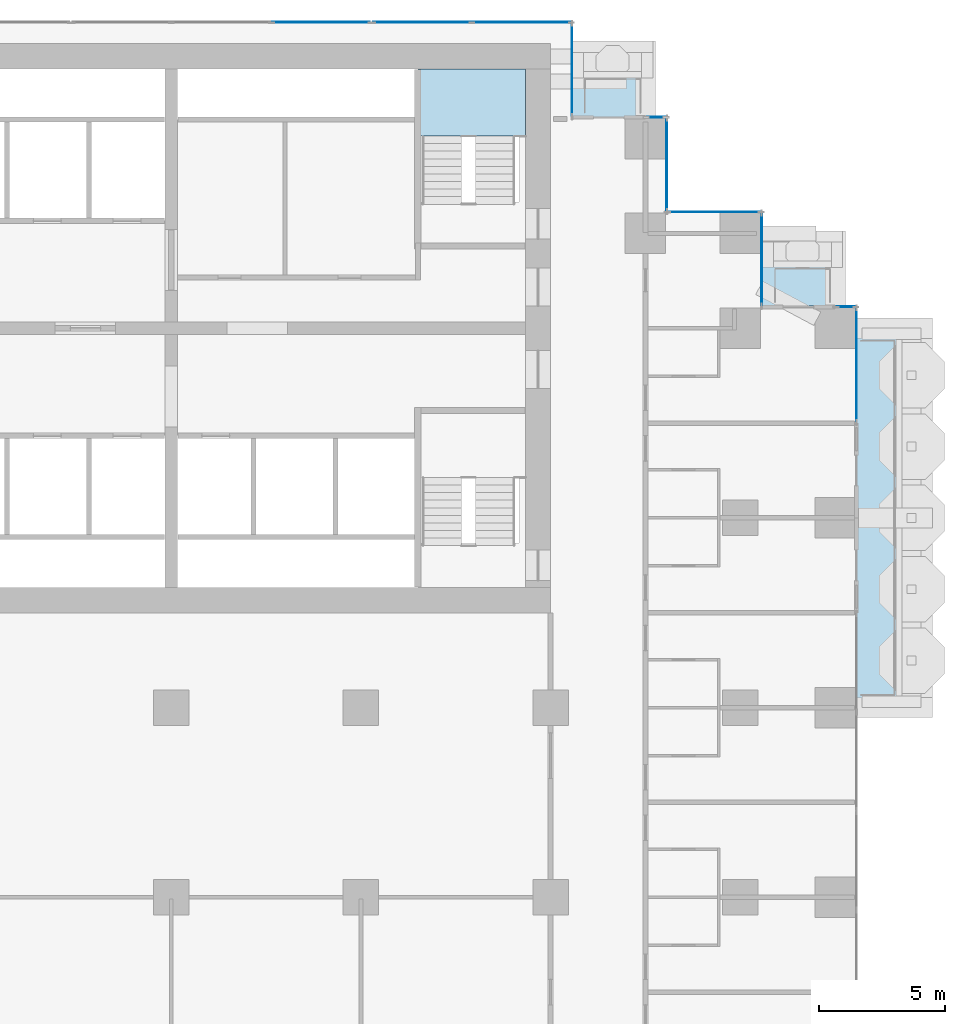
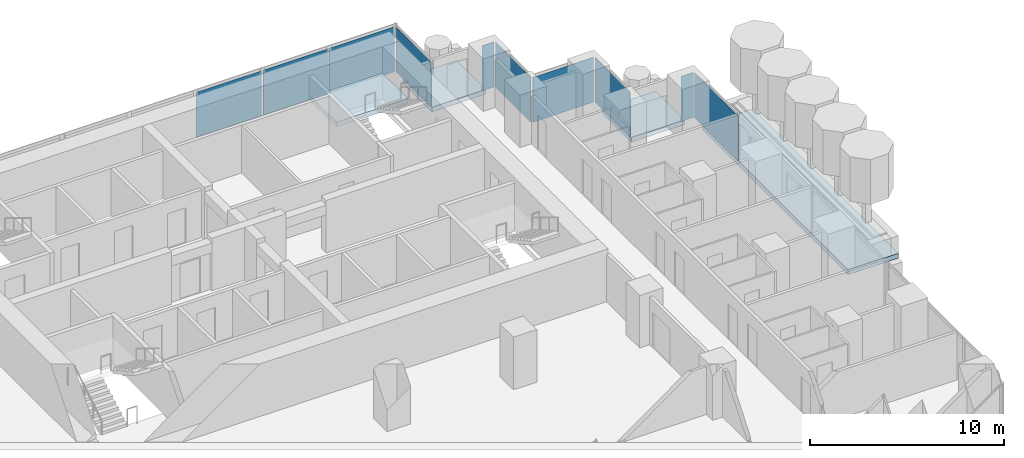
# One storey, part 9 of 19: 10 plates, 4 slabs, 10 elements without a shape of their own.
"""IFC4 building model written with IfcOpenShell, lengths in metres."""

from ifc_helpers import new_model, si_unit, direction, frame, origin, origin_2d, place, context, subcontext, project, spatial, polyline, rectangle, outline, extrude, material, layer, layer_set, type_object, element, aggregate, save


model = new_model("IFC4")

# Units and contexts
model_context = context("Model", 3, precision=1e-05, world=origin(), true_north=direction((0.0, 1.0)))
body_context = subcontext(model_context, "Body", "Model", "MODEL_VIEW")
ifc_project = project(units=[si_unit("LENGTHUNIT", "METRE"), si_unit("AREAUNIT", "SQUARE_METRE"), si_unit("VOLUMEUNIT", "CUBIC_METRE"), si_unit("PLANEANGLEUNIT", "RADIAN"), si_unit("MASSUNIT", "GRAM", prefix="KILO")], contexts=[model_context])

# Site, building, storey
site_placement = place(None, origin())
site = spatial("IfcSite", under=ifc_project, at=site_placement, CompositionType="ELEMENT")
building_placement = place(site_placement, origin())
building = spatial("IfcBuilding", under=site, at=building_placement, Name="Pilkhan Gate Tower", CompositionType="ELEMENT")
storey_placement = place(building_placement, frame((0.0, 0.0, 46.10009765625)))
storey = spatial("IfcBuildingStorey", under=building, at=storey_placement, Name="L08", CompositionType="ELEMENT", Elevation=46.10009765625)

# Slabs
ifc_material_1 = material(Name="Concrete C60/75", Category="concrete")
ifc_layer_1 = layer(ifc_material_1, 0.300048828125)
ifc_layer_set_1 = layer_set([ifc_layer_1], Name="Balcony tray slab TR300")
slab_type_1 = type_object("IfcSlabType", Name="Balcony tray slab TR300", PredefinedType="FLOOR", material=ifc_layer_set_1)
slab_1_placement = place(storey_placement, frame((0.0, 0.0, -0.300048828125)))
element("IfcSlab", 1, at=slab_1_placement, inside=storey, type_object=slab_type_1, Name="Balcony tray L08 E", PredefinedType="FLOOR", context=body_context, shape_type="SweptSolid", body=[
    extrude(outline(polyline([(105.10009765625, 67.5), (105.10009765625, 82.5), (102.10009765625, 82.5), (102.10009765625, 67.5), (105.10009765625, 67.5)])), origin(), (0.0, 0.0, 1.0), 0.300048828125),
])
slab_2_placement = place(storey_placement, frame((0.0, 0.0, -0.300048828125)))
element("IfcSlab", 2, at=slab_2_placement, inside=storey, type_object=slab_type_1, Name="Balcony tray L08 N", PredefinedType="FLOOR", context=body_context, shape_type="SweptSolid", body=[
    extrude(outline(polyline([(94.050048828125, 90.85009765625), (94.050048828125, 93.85009765625), (90.85009765625, 93.85009765625), (90.85009765625, 90.85009765625), (94.050048828125, 90.85009765625)])), origin(), (0.0, 0.0, 1.0), 0.300048828125),
])
slab_3_placement = place(storey_placement, frame((0.0, 0.0, -0.300048828125)))
element("IfcSlab", 3, at=slab_3_placement, inside=storey, type_object=slab_type_1, Name="Balcony tray L08 N", PredefinedType="FLOOR", context=body_context, shape_type="SweptSolid", body=[
    extrude(outline(polyline([(101.550048828125, 83.3701171875), (101.550048828125, 86.35009765625), (98.3701171875, 86.35009765625), (98.3701171875, 83.3701171875), (101.550048828125, 83.3701171875)])), origin(), (0.0, 0.0, 1.0), 0.300048828125),
])

# Curtain wall, plate
ifc_material_2 = material(Name="Pale anodised aluminium, clear low-iron double glazing", Category="aluminium")
curtain_wall_type = type_object("IfcCurtainWallType", Name="Hotel unitised curtain wall CW-H", PredefinedType="USERDEFINED", material=ifc_material_2)
curtain_wall_1_placement = place(storey_placement, origin())
curtain_wall_1 = element("IfcCurtainWall", 4, at=curtain_wall_1_placement, inside=storey, type_object=curtain_wall_type, Name="Hotel unitised curtain wall CW-H L08 E", ObjectType="UNITISED CURTAIN WALL", PredefinedType="USERDEFINED")
ifc_material_3 = material(Name="Clear low-iron double glazing", Category="glass")
ifc_layer_2 = layer(ifc_material_3, 0.035888671875)
ifc_layer_set_2 = layer_set([ifc_layer_2], Name="Glass panel CW-H 36")
plate_type = type_object("IfcPlateType", Name="Glass panel CW-H 36", PredefinedType="CURTAIN_PANEL", material=ifc_layer_set_2)
plate_1_placement = place(storey_placement, frame((102.094970703125, 81.047607421875, 0.0), z_axis=(0.0, 0.0, 1.0), x_axis=(0.0, 1.0, 0.0)))
plate_1 = element("IfcPlate", 5, at=plate_1_placement, type_object=plate_type, Name="CW-H panel 1", PredefinedType="CURTAIN_PANEL", context=body_context, shape_type="SweptSolid", body=[
    extrude(rectangle(XDim=4.465087890625, YDim=0.035888671875, at=origin_2d()), origin(), (0.0, 0.0, 1.0), 2.820068359375),
])
aggregate(curtain_wall_1, [plate_1])

curtain_wall_2_placement = place(storey_placement, origin())
curtain_wall_2 = element("IfcCurtainWall", 6, at=curtain_wall_2_placement, inside=storey, type_object=curtain_wall_type, Name="Hotel unitised curtain wall CW-H L08 N", ObjectType="UNITISED CURTAIN WALL", PredefinedType="USERDEFINED")
plate_2_placement = place(storey_placement, frame((101.672607421875, 83.344970703125, 0.0), z_axis=(0.0, 0.0, 1.0), x_axis=(1.0, 0.0, 0.0)))
plate_2 = element("IfcPlate", 7, at=plate_2_placement, type_object=plate_type, Name="CW-H panel 1", PredefinedType="CURTAIN_PANEL", context=body_context, shape_type="SweptSolid", body=[
    extrude(rectangle(XDim=0.715087890625, YDim=0.035888671875, at=origin_2d()), origin(), (0.0, 0.0, 1.0), 2.820068359375),
])
aggregate(curtain_wall_2, [plate_2])

curtain_wall_3_placement = place(storey_placement, origin())
curtain_wall_3 = element("IfcCurtainWall", 8, at=curtain_wall_3_placement, inside=storey, type_object=curtain_wall_type, Name="Hotel unitised curtain wall CW-H L08 E", ObjectType="UNITISED CURTAIN WALL", PredefinedType="USERDEFINED")
plate_3_placement = place(storey_placement, frame((98.344970703125, 85.219970703125, 0.0), z_axis=(0.0, 0.0, 1.0), x_axis=(0.0, 1.0, 0.0)))
plate_3 = element("IfcPlate", 9, at=plate_3_placement, type_object=plate_type, Name="CW-H panel 1", PredefinedType="CURTAIN_PANEL", context=body_context, shape_type="SweptSolid", body=[
    extrude(rectangle(XDim=3.6201171875, YDim=0.035888671875, at=origin_2d()), origin(), (0.0, 0.0, 1.0), 2.820068359375),
])
aggregate(curtain_wall_3, [plate_3])

curtain_wall_4_placement = place(storey_placement, origin())
curtain_wall_4 = element("IfcCurtainWall", 10, at=curtain_wall_4_placement, inside=storey, type_object=curtain_wall_type, Name="Hotel unitised curtain wall CW-H L08 N", ObjectType="UNITISED CURTAIN WALL", PredefinedType="USERDEFINED")
plate_4_placement = place(storey_placement, frame((96.469970703125, 87.094970703125, 0.0), z_axis=(0.0, 0.0, 1.0), x_axis=(1.0, 0.0, 0.0)))
plate_4 = element("IfcPlate", 11, at=plate_4_placement, type_object=plate_type, Name="CW-H panel 1", PredefinedType="CURTAIN_PANEL", context=body_context, shape_type="SweptSolid", body=[
    extrude(rectangle(XDim=3.6201171875, YDim=0.035888671875, at=origin_2d()), origin(), (0.0, 0.0, 1.0), 2.820068359375),
])
aggregate(curtain_wall_4, [plate_4])

curtain_wall_5_placement = place(storey_placement, origin())
curtain_wall_5 = element("IfcCurtainWall", 12, at=curtain_wall_5_placement, inside=storey, type_object=curtain_wall_type, Name="Hotel unitised curtain wall CW-H L08 E", ObjectType="UNITISED CURTAIN WALL", PredefinedType="USERDEFINED")
plate_5_placement = place(storey_placement, frame((94.594970703125, 88.969970703125, 0.0), z_axis=(0.0, 0.0, 1.0), x_axis=(0.0, 1.0, 0.0)))
plate_5 = element("IfcPlate", 13, at=plate_5_placement, type_object=plate_type, Name="CW-H panel 1", PredefinedType="CURTAIN_PANEL", context=body_context, shape_type="SweptSolid", body=[
    extrude(rectangle(XDim=3.6201171875, YDim=0.035888671875, at=origin_2d()), origin(), (0.0, 0.0, 1.0), 2.820068359375),
])
aggregate(curtain_wall_5, [plate_5])

curtain_wall_6_placement = place(storey_placement, origin())
curtain_wall_6 = element("IfcCurtainWall", 14, at=curtain_wall_6_placement, inside=storey, type_object=curtain_wall_type, Name="Hotel unitised curtain wall CW-H L08 N", ObjectType="UNITISED CURTAIN WALL", PredefinedType="USERDEFINED")
plate_6_placement = place(storey_placement, frame((94.172607421875, 90.844970703125, 0.0), z_axis=(0.0, 0.0, 1.0), x_axis=(1.0, 0.0, 0.0)))
plate_6 = element("IfcPlate", 15, at=plate_6_placement, type_object=plate_type, Name="CW-H panel 1", PredefinedType="CURTAIN_PANEL", context=body_context, shape_type="SweptSolid", body=[
    extrude(rectangle(XDim=0.715087890625, YDim=0.035888671875, at=origin_2d()), origin(), (0.0, 0.0, 1.0), 2.820068359375),
])
aggregate(curtain_wall_6, [plate_6])

curtain_wall_7_placement = place(storey_placement, origin())
curtain_wall_7 = element("IfcCurtainWall", 16, at=curtain_wall_7_placement, inside=storey, type_object=curtain_wall_type, Name="Hotel unitised curtain wall CW-H L08 E", ObjectType="UNITISED CURTAIN WALL", PredefinedType="USERDEFINED")
plate_7_placement = place(storey_placement, frame((90.844970703125, 92.719970703125, 0.0), z_axis=(0.0, 0.0, 1.0), x_axis=(0.0, 1.0, 0.0)))
plate_7 = element("IfcPlate", 17, at=plate_7_placement, type_object=plate_type, Name="CW-H panel 1", PredefinedType="CURTAIN_PANEL", context=body_context, shape_type="SweptSolid", body=[
    extrude(rectangle(XDim=3.6201171875, YDim=0.035888671875, at=origin_2d()), origin(), (0.0, 0.0, 1.0), 2.820068359375),
])
aggregate(curtain_wall_7, [plate_7])

curtain_wall_8_placement = place(storey_placement, origin())
curtain_wall_8 = element("IfcCurtainWall", 18, at=curtain_wall_8_placement, inside=storey, type_object=curtain_wall_type, Name="Hotel unitised curtain wall CW-H L08 N", ObjectType="UNITISED CURTAIN WALL", PredefinedType="USERDEFINED")
plate_8_placement = place(storey_placement, frame((80.925537109375, 94.594970703125, 0.0), z_axis=(0.0, 0.0, 1.0), x_axis=(1.0, 0.0, 0.0)))
plate_8 = element("IfcPlate", 19, at=plate_8_placement, type_object=plate_type, Name="CW-H panel 3", PredefinedType="CURTAIN_PANEL", context=body_context, shape_type="SweptSolid", body=[
    extrude(rectangle(XDim=3.86376953125, YDim=0.035888671875, at=origin_2d()), origin(), (0.0, 0.0, 1.0), 2.820068359375),
])
aggregate(curtain_wall_8, [plate_8])

# Curtain wall, plates
curtain_wall_9_placement = place(storey_placement, origin())
curtain_wall_9 = element("IfcCurtainWall", 20, at=curtain_wall_9_placement, inside=storey, type_object=curtain_wall_type, Name="Hotel unitised curtain wall CW-H L08 N", ObjectType="UNITISED CURTAIN WALL", PredefinedType="USERDEFINED")
plate_9_placement = place(storey_placement, frame((84.91943359375, 94.594970703125, 0.0), z_axis=(0.0, 0.0, 1.0), x_axis=(1.0, 0.0, 0.0)))
plate_9 = element("IfcPlate", 21, at=plate_9_placement, type_object=plate_type, Name="CW-H panel 1", PredefinedType="CURTAIN_PANEL", context=body_context, shape_type="SweptSolid", body=[
    extrude(rectangle(XDim=3.86376953125, YDim=0.035888671875, at=origin_2d()), origin(), (0.0, 0.0, 1.0), 2.820068359375),
])
plate_10_placement = place(storey_placement, frame((88.84814453125, 94.594970703125, 0.0), z_axis=(0.0, 0.0, 1.0), x_axis=(1.0, 0.0, 0.0)))
plate_10 = element("IfcPlate", 22, at=plate_10_placement, type_object=plate_type, Name="CW-H panel 2", PredefinedType="CURTAIN_PANEL", context=body_context, shape_type="SweptSolid", body=[
    extrude(rectangle(XDim=3.86376953125, YDim=0.035888671875, at=origin_2d()), origin(), (0.0, 0.0, 1.0), 2.820068359375),
])
aggregate(curtain_wall_9, [plate_9, plate_10])

# Stair, slab
ifc_material_4 = material(Name="Concrete C40/50 precast", Category="concrete")
stair_type = type_object("IfcStairType", Name="Stair ST4 165x300", PredefinedType="HALF_TURN_STAIR", material=ifc_material_4)
stair_placement = place(storey_placement, origin())
stair = element("IfcStair", 23, at=stair_placement, inside=storey, type_object=stair_type, Name="Stair ST4 L08", PredefinedType="HALF_TURN_STAIR")
ifc_material_5 = material(Name="Concrete C40/50", Category="concrete")
ifc_layer_3 = layer(ifc_material_5, 0.199951171875)
ifc_layer_set_3 = layer_set([ifc_layer_3], Name="Stair landing SL200")
slab_type_2 = type_object("IfcSlabType", Name="Stair landing SL200", PredefinedType="LANDING", material=ifc_layer_set_3)
slab_4_placement = place(storey_placement, frame((0.0, 0.0, 1.349853515625)))
slab_4 = element("IfcSlab", 24, at=slab_4_placement, type_object=slab_type_2, Name="ST4 landing 1", PredefinedType="LANDING", context=body_context, shape_type="SweptSolid", body=[
    extrude(outline(polyline([(89.0, 90.10009765625), (89.0, 92.75), (84.75, 92.75), (84.75, 90.10009765625), (89.0, 90.10009765625)])), origin(), (0.0, 0.0, 1.0), 0.300048828125),
])
aggregate(stair, [slab_4])

save(model, "model.ifc")
